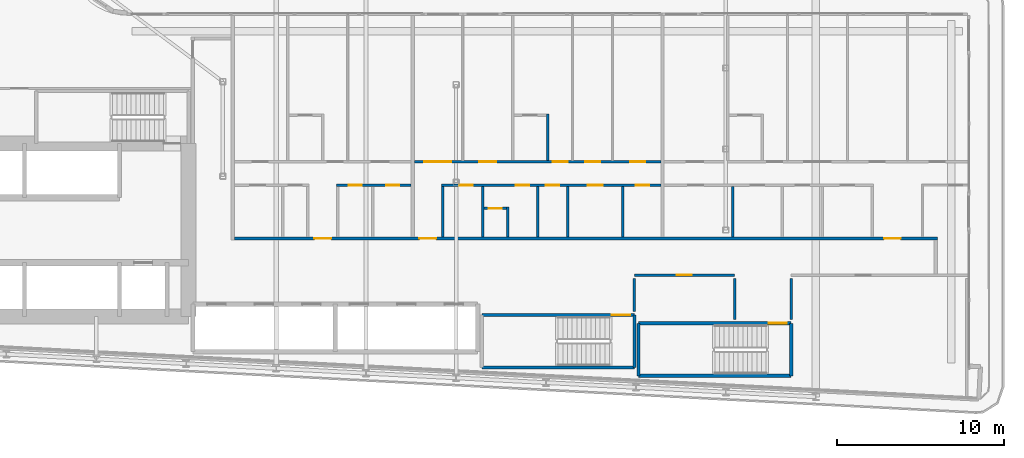
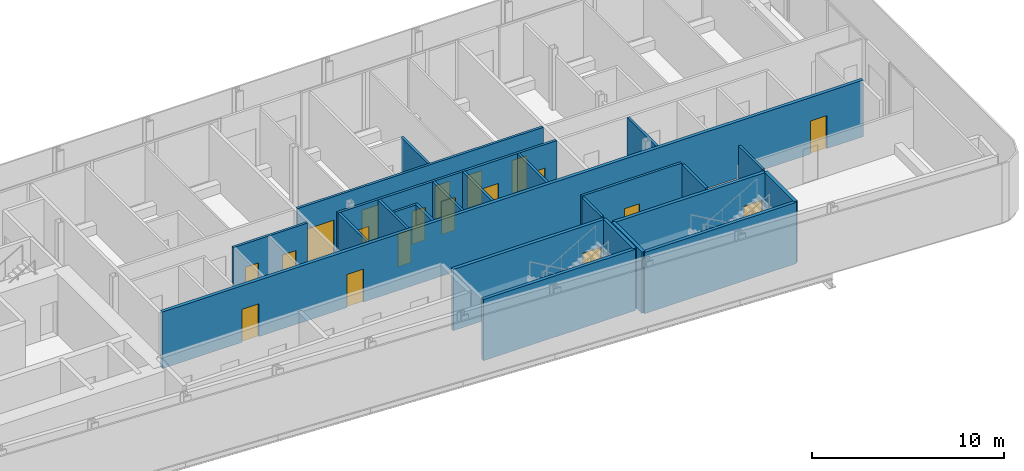
# One storey, part 16 of 29: 24 walls, 19 doors, 19 openings.
"""IFC4 building model written with IfcOpenShell, lengths in metres."""

from ifc_helpers import new_model, si_unit, direction, frame, frame_2d, origin, place, context, subcontext, project, spatial, rectangle, extrude, source, transform, mapped, material, layer, layer_set, type_object, element, fill, save


model = new_model("IFC4")

# Units and contexts
model_context = context("Model", 3, precision=1e-05, world=origin(), true_north=direction((0.0, 1.0)))
body_context = subcontext(model_context, "Body", "Model", "MODEL_VIEW")
ifc_project = project(units=[si_unit("LENGTHUNIT", "METRE"), si_unit("AREAUNIT", "SQUARE_METRE"), si_unit("VOLUMEUNIT", "CUBIC_METRE"), si_unit("PLANEANGLEUNIT", "RADIAN"), si_unit("MASSUNIT", "GRAM", prefix="KILO")], contexts=[model_context])

# Site, building, storey
site_placement = place(None, origin())
site = spatial("IfcSite", under=ifc_project, at=site_placement, CompositionType="ELEMENT")
building_placement = place(site_placement, origin())
building = spatial("IfcBuilding", under=site, at=building_placement, Name="Kheshtan School and Residences Tower", CompositionType="ELEMENT")
storey_placement = place(building_placement, frame((0.0, 0.0, 121.39990234375)))
storey = spatial("IfcBuildingStorey", under=building, at=storey_placement, Name="L28", CompositionType="ELEMENT", Elevation=121.39990234375)

# Wall, openings, doors
ifc_material_1 = material(Name="Gypsum board on steel studs with fire boards", Category="steel")
ifc_layer_1 = layer(ifc_material_1, 0.199951171875)
ifc_layer_set_1 = layer_set([ifc_layer_1], Name="Corridor wall 200")
wall_type_1 = type_object("IfcWallType", Name="Corridor wall 200", PredefinedType="PARTITIONING", material=ifc_layer_set_1)
wall_1_placement = place(storey_placement, frame((55.89990234375, 30.5, 0.0), z_axis=(0.0, 0.0, 1.0), x_axis=(1.0, 0.0, 0.0)))
wall_1 = element("IfcWall", 1, at=wall_1_placement, inside=storey, type_object=wall_type_1, Name="Partition L28-051", PredefinedType="PARTITIONING", context=body_context, shape_type="SweptSolid", body=[
    extrude(rectangle(XDim=42.2001953125, YDim=0.199951171875, at=frame_2d((21.10009765625, 0.0))), origin(), (0.0, 0.0, 1.0), 3.60009765625),
])
opening_1_placement = place(wall_1_placement, frame((4.800048828125, 0.0, 0.0)))
opening_1 = element("IfcOpeningElement", 2, at=opening_1_placement, cuts=wall_1, Name="Opening D27-005", PredefinedType="OPENING", context=body_context, shape_type="SweptSolid", body=[
    extrude(rectangle(XDim=1.0, YDim=2.10009765625, at=frame_2d((0.5, 1.050048828125))), frame((0.0, 0.10986328125, 0.0), z_axis=(0.0, -1.0, 0.0), x_axis=(1.0, 0.0, 0.0)), (0.0, 0.0, 1.0), 0.219970703125),
])
opening_2_placement = place(wall_1_placement, frame((11.10009765625, 0.0, 0.0)))
opening_2 = element("IfcOpeningElement", 3, at=opening_2_placement, cuts=wall_1, Name="Opening D27-015", PredefinedType="OPENING", context=body_context, shape_type="SweptSolid", body=[
    extrude(rectangle(XDim=1.0, YDim=2.10009765625, at=frame_2d((0.5, 1.050048828125))), frame((0.0, 0.10986328125, 0.0), z_axis=(0.0, -1.0, 0.0), x_axis=(1.0, 0.0, 0.0)), (0.0, 0.0, 1.0), 0.219970703125),
])
opening_3_placement = place(wall_1_placement, frame((39.0, 0.0, 0.0)))
opening_3 = element("IfcOpeningElement", 4, at=opening_3_placement, cuts=wall_1, Name="Opening D27-029", PredefinedType="OPENING", context=body_context, shape_type="SweptSolid", body=[
    extrude(rectangle(XDim=1.0, YDim=2.10009765625, at=frame_2d((0.5, 1.050048828125))), frame((0.0, 0.10986328125, 0.0), z_axis=(0.0, -1.0, 0.0), x_axis=(1.0, 0.0, 0.0)), (0.0, 0.0, 1.0), 0.219970703125),
])
ifc_material_2 = material(Name="Steel-framed fire-resisting door leaf", Category="steel")
door_type_1 = type_object("IfcDoorType", Name="Fire door FD30S 1000 x 2100", OperationType="SINGLE_SWING_LEFT", PredefinedType="DOOR", material=ifc_material_2)
shared_shape_1 = source(origin(), body_context, "Body", "SweptSolid", [
    extrude(rectangle(XDim=1.0, YDim=2.10009765625, at=frame_2d((0.5, 1.050048828125))), frame((0.0, 0.02490234375, 0.0), z_axis=(0.0, -1.0, 0.0), x_axis=(1.0, 0.0, 0.0)), (0.0, 0.0, 1.0), 0.050048828125),
])
door_1_placement = place(opening_1_placement, origin())
door_1 = element("IfcDoor", 5, at=door_1_placement, inside=storey, type_object=door_type_1, Name="Door D27-005", OperationType="SINGLE_SWING_RIGHT", OverallHeight=2.10009765625, OverallWidth=1.0, PredefinedType="DOOR", context=body_context, shape_type="MappedRepresentation", body=[
    mapped(shared_shape_1, transform((0.0, 0.0, 0.0), x_axis=(1.0, 0.0, 0.0), y_axis=(0.0, 1.0, 0.0), z_axis=(0.0, 0.0, 1.0), scale=1.0)),
])
fill(opening_1, door_1)
door_2_placement = place(opening_2_placement, origin())
door_2 = element("IfcDoor", 6, at=door_2_placement, inside=storey, type_object=door_type_1, Name="Door D27-015", OperationType="SINGLE_SWING_LEFT", OverallHeight=2.10009765625, OverallWidth=1.0, PredefinedType="DOOR", context=body_context, shape_type="MappedRepresentation", body=[
    mapped(shared_shape_1, transform((0.0, 0.0, 0.0), x_axis=(1.0, 0.0, 0.0), y_axis=(0.0, 1.0, 0.0), z_axis=(0.0, 0.0, 1.0), scale=1.0)),
])
fill(opening_2, door_2)
door_3_placement = place(opening_3_placement, origin())
door_3 = element("IfcDoor", 7, at=door_3_placement, inside=storey, type_object=door_type_1, Name="Door D27-029", OperationType="SINGLE_SWING_LEFT", OverallHeight=2.10009765625, OverallWidth=1.0, PredefinedType="DOOR", context=body_context, shape_type="MappedRepresentation", body=[
    mapped(shared_shape_1, transform((0.0, 0.0, 0.0), x_axis=(1.0, 0.0, 0.0), y_axis=(0.0, 1.0, 0.0), z_axis=(0.0, 0.0, 1.0), scale=1.0)),
])
fill(opening_3, door_3)

# Wall, opening, door
ifc_material_3 = material(Name="Fire-board shaft wall system")
ifc_layer_2 = layer(ifc_material_3, 0.14990234375)
ifc_layer_set_2 = layer_set([ifc_layer_2], Name="Service room wall 150")
wall_type_2 = type_object("IfcWallType", Name="Service room wall 150", PredefinedType="PARTITIONING", material=ifc_layer_set_2)
wall_2_placement = place(storey_placement, frame((79.909912109375, 28.300048828125, 0.0), z_axis=(0.0, 0.0, 1.0), x_axis=(1.0, 0.0, 0.0)))
wall_2 = element("IfcWall", 8, at=wall_2_placement, inside=storey, type_object=wall_type_2, Name="Service room wall", PredefinedType="PARTITIONING", context=body_context, shape_type="SweptSolid", body=[
    extrude(rectangle(XDim=6.010009765625, YDim=0.14990234375, at=frame_2d((3.0048828125, 0.0))), origin(), (0.0, 0.0, 1.0), 3.900146484375),
])
opening_4_placement = place(wall_2_placement, frame((2.554931640625, 0.0, 0.0)))
opening_4 = element("IfcOpeningElement", 9, at=opening_4_placement, cuts=wall_2, Name="Opening SR90", PredefinedType="OPENING", context=body_context, shape_type="SweptSolid", body=[
    extrude(rectangle(XDim=0.89990234375, YDim=2.199951171875, at=frame_2d((0.449951171875, 1.10009765625))), frame((0.0, 0.0849609375, 0.0), z_axis=(0.0, -1.0, 0.0), x_axis=(1.0, 0.0, 0.0)), (0.0, 0.0, 1.0), 0.169921875),
])
ifc_material_4 = material(Name="Steel door leaf, galvanised", Category="steel")
door_type_2 = type_object("IfcDoorType", Name="Service room door 900 steel 90 min", OperationType="SINGLE_SWING_LEFT", PredefinedType="DOOR", material=ifc_material_4)
shared_shape_2 = source(origin(), body_context, "Body", "SweptSolid", [
    extrude(rectangle(XDim=0.89990234375, YDim=2.199951171875, at=frame_2d((0.449951171875, 1.10009765625))), frame((0.0, 0.02490234375, 0.0), z_axis=(0.0, -1.0, 0.0), x_axis=(1.0, 0.0, 0.0)), (0.0, 0.0, 1.0), 0.050048828125),
])
door_4_placement = place(opening_4_placement, origin())
door_4 = element("IfcDoor", 10, at=door_4_placement, inside=storey, type_object=door_type_2, Name="Service room door", OperationType="SINGLE_SWING_LEFT", OverallHeight=2.199951171875, OverallWidth=0.89990234375, PredefinedType="DOOR", context=body_context, shape_type="MappedRepresentation", body=[
    mapped(shared_shape_2, transform((0.0, 0.0, 0.0), x_axis=(1.0, 0.0, 0.0), y_axis=(0.0, 1.0, 0.0), z_axis=(0.0, 0.0, 1.0), scale=1.0)),
])
fill(opening_4, door_4)

# Walls
wall_3_placement = place(storey_placement, frame((79.909912109375, 26.1201171875, 0.0), z_axis=(0.0, 0.0, 1.0), x_axis=(0.0, 1.0, 0.0)))
element("IfcWall", 11, at=wall_3_placement, inside=storey, type_object=wall_type_2, Name="Service room wall", PredefinedType="PARTITIONING", context=body_context, shape_type="SweptSolid", body=[
    extrude(rectangle(XDim=1.98486328125, YDim=0.14990234375, at=frame_2d((0.992431640625, 0.0))), origin(), (0.0, 0.0, 1.0), 3.900146484375),
])
for number, where, z_axis, x_axis, name in (
    (12, (85.919921875, 25.6201171875, 0.0), (0.0, 0.0, 1.0), (0.0, 1.0, 0.0), "Service room wall"),
    (13, (89.320068359375, 25.6201171875, 0.0), (0.0, 0.0, 1.0), (0.0, 1.0, 0.0), "Service room wall"),
):
    element("IfcWall", number, at=place(storey_placement, frame(where, z_axis=z_axis, x_axis=x_axis)), inside=storey, type_object=wall_type_2, Name=name, PredefinedType="PARTITIONING", context=body_context, shape_type="SweptSolid", body=[
        extrude(rectangle(XDim=2.48486328125, YDim=0.14990234375, at=frame_2d((1.242431640625, 0.0))), origin(), (0.0, 0.0, 1.0), 3.900146484375),
    ])
ifc_material_5 = material(Name="Concrete C40/50", Category="concrete")
ifc_layer_3 = layer(ifc_material_5, 0.199951171875)
ifc_layer_set_3 = layer_set([ifc_layer_3], Name="Stair enclosure wall 200 Concrete C40/50")
wall_type_3 = type_object("IfcWallType", Name="Stair enclosure wall 200 Concrete C40/50", PredefinedType="SHEAR", material=ifc_layer_set_3)
wall_4_placement = place(storey_placement, frame((80.159912109375, 22.25, 0.0), z_axis=(0.0, 0.0, 1.0), x_axis=(1.0, 0.0, 0.0)))
element("IfcWall", 14, at=wall_4_placement, inside=storey, type_object=wall_type_3, Name="Stair enclosure wall ST4", PredefinedType="SHEAR", context=body_context, shape_type="SweptSolid", body=[
    extrude(rectangle(XDim=9.16015625, YDim=0.199951171875, at=frame_2d((4.580078125, 0.0))), origin(), (0.0, 0.0, 1.0), 3.900146484375),
])

# Wall, opening, door
wall_5_placement = place(storey_placement, frame((80.159912109375, 25.39990234375, 0.0), z_axis=(0.0, 0.0, 1.0), x_axis=(1.0, 0.0, 0.0)))
wall_5 = element("IfcWall", 15, at=wall_5_placement, inside=storey, type_object=wall_type_3, Name="Stair enclosure wall ST4", PredefinedType="SHEAR", context=body_context, shape_type="SweptSolid", body=[
    extrude(rectangle(XDim=9.16015625, YDim=0.199951171875, at=frame_2d((4.580078125, 0.0))), origin(), (0.0, 0.0, 1.0), 3.900146484375),
])
opening_5_placement = place(wall_5_placement, frame((7.81005859375, 0.0, 0.0)))
opening_5 = element("IfcOpeningElement", 16, at=opening_5_placement, cuts=wall_5, Name="Opening ST4D", PredefinedType="OPENING", context=body_context, shape_type="SweptSolid", body=[
    extrude(rectangle(XDim=1.10009765625, YDim=2.199951171875, at=frame_2d((0.550048828125, 1.10009765625))), frame((0.0, 0.10986328125, 0.0), z_axis=(0.0, -1.0, 0.0), x_axis=(1.0, 0.0, 0.0)), (0.0, 0.0, 1.0), 0.219970703125),
])
door_type_3 = type_object("IfcDoorType", Name="Stair door 1100 steel 90 min", OperationType="SINGLE_SWING_LEFT", PredefinedType="DOOR", material=ifc_material_4)
shared_shape_3 = source(origin(), body_context, "Body", "SweptSolid", [
    extrude(rectangle(XDim=1.10009765625, YDim=2.199951171875, at=frame_2d((0.550048828125, 1.10009765625))), frame((0.0, 0.02490234375, 0.0), z_axis=(0.0, -1.0, 0.0), x_axis=(1.0, 0.0, 0.0)), (0.0, 0.0, 1.0), 0.050048828125),
])
door_5_placement = place(opening_5_placement, origin())
door_5 = element("IfcDoor", 17, at=door_5_placement, inside=storey, type_object=door_type_3, Name="Stair ST4 door", OperationType="SINGLE_SWING_LEFT", OverallHeight=2.199951171875, OverallWidth=1.10009765625, PredefinedType="DOOR", context=body_context, shape_type="MappedRepresentation", body=[
    mapped(shared_shape_3, transform((0.0, 0.0, 0.0), x_axis=(1.0, 0.0, 0.0), y_axis=(0.0, 1.0, 0.0), z_axis=(0.0, 0.0, 1.0), scale=1.0)),
])
fill(opening_5, door_5)

# Walls
for number, where, z_axis, x_axis, name in (
    (18, (80.159912109375, 22.25, 0.0), (0.0, 0.0, 1.0), (0.0, 1.0, 0.0), "Stair enclosure wall ST4"),
    (19, (89.320068359375, 22.25, 0.0), (0.0, 0.0, 1.0), (0.0, 1.0, 0.0), "Stair enclosure wall ST4"),
):
    element("IfcWall", number, at=place(storey_placement, frame(where, z_axis=z_axis, x_axis=x_axis)), inside=storey, type_object=wall_type_3, Name=name, PredefinedType="SHEAR", context=body_context, shape_type="SweptSolid", body=[
        extrude(rectangle(XDim=3.14990234375, YDim=0.199951171875, at=frame_2d((1.574951171875, 0.0))), origin(), (0.0, 0.0, 1.0), 3.900146484375),
    ])
wall_6_placement = place(storey_placement, frame((70.75, 22.75, 0.0), z_axis=(0.0, 0.0, 1.0), x_axis=(1.0, 0.0, 0.0)))
element("IfcWall", 20, at=wall_6_placement, inside=storey, type_object=wall_type_3, Name="Stair enclosure wall ST5", PredefinedType="SHEAR", context=body_context, shape_type="SweptSolid", body=[
    extrude(rectangle(XDim=9.159912109375, YDim=0.199951171875, at=frame_2d((4.580078125, 0.0))), origin(), (0.0, 0.0, 1.0), 3.900146484375),
])

# Wall, opening, door
wall_7_placement = place(storey_placement, frame((70.75, 25.89990234375, 0.0), z_axis=(0.0, 0.0, 1.0), x_axis=(1.0, 0.0, 0.0)))
wall_7 = element("IfcWall", 21, at=wall_7_placement, inside=storey, type_object=wall_type_3, Name="Stair enclosure wall ST5", PredefinedType="SHEAR", context=body_context, shape_type="SweptSolid", body=[
    extrude(rectangle(XDim=9.159912109375, YDim=0.199951171875, at=frame_2d((4.580078125, 0.0))), origin(), (0.0, 0.0, 1.0), 3.900146484375),
])
opening_6_placement = place(wall_7_placement, frame((7.81005859375, 0.0, 0.0)))
opening_6 = element("IfcOpeningElement", 22, at=opening_6_placement, cuts=wall_7, Name="Opening ST5D", PredefinedType="OPENING", context=body_context, shape_type="SweptSolid", body=[
    extrude(rectangle(XDim=1.10009765625, YDim=2.199951171875, at=frame_2d((0.550048828125, 1.10009765625))), frame((0.0, 0.10986328125, 0.0), z_axis=(0.0, -1.0, 0.0), x_axis=(1.0, 0.0, 0.0)), (0.0, 0.0, 1.0), 0.219970703125),
])
door_6_placement = place(opening_6_placement, origin())
door_6 = element("IfcDoor", 23, at=door_6_placement, inside=storey, type_object=door_type_3, Name="Stair ST5 door", OperationType="SINGLE_SWING_LEFT", OverallHeight=2.199951171875, OverallWidth=1.10009765625, PredefinedType="DOOR", context=body_context, shape_type="MappedRepresentation", body=[
    mapped(shared_shape_3, transform((0.0, 0.0, 0.0), x_axis=(1.0, 0.0, 0.0), y_axis=(0.0, 1.0, 0.0), z_axis=(0.0, 0.0, 1.0), scale=1.0)),
])
fill(opening_6, door_6)

# Wall
wall_8_placement = place(storey_placement, frame((79.909912109375, 22.75, 0.0), z_axis=(0.0, 0.0, 1.0), x_axis=(0.0, 1.0, 0.0)))
element("IfcWall", 24, at=wall_8_placement, inside=storey, type_object=wall_type_3, Name="Stair enclosure wall ST5", PredefinedType="SHEAR", context=body_context, shape_type="SweptSolid", body=[
    extrude(rectangle(XDim=3.14990234375, YDim=0.199951171875, at=frame_2d((1.574951171875, 0.0))), origin(), (0.0, 0.0, 1.0), 3.900146484375),
])

# Wall, openings, doors
ifc_material_6 = material(Name="Moisture-resistant gypsum board on steel studs", Category="steel")
ifc_layer_4 = layer(ifc_material_6, 0.14990234375)
ifc_layer_set_4 = layer_set([ifc_layer_4], Name="Wet-room partition 150")
wall_type_4 = type_object("IfcWallType", Name="Wet-room partition 150", PredefinedType="PARTITIONING", material=ifc_layer_set_4)
wall_9_placement = place(storey_placement, frame((62.02490234375, 33.699951171875, 0.0), z_axis=(0.0, 0.0, 1.0), x_axis=(1.0, 0.0, 0.0)))
wall_9 = element("IfcWall", 25, at=wall_9_placement, inside=storey, type_object=wall_type_4, Name="Partition L28-059", PredefinedType="PARTITIONING", context=body_context, shape_type="SweptSolid", body=[
    extrude(rectangle(XDim=4.47509765625, YDim=0.14990234375, at=frame_2d((2.237548828125, 0.0))), origin(), (0.0, 0.0, 1.0), 3.60009765625),
])
opening_7_placement = place(wall_9_placement, frame((0.72509765625, 0.0, 0.0)))
opening_7 = element("IfcOpeningElement", 26, at=opening_7_placement, cuts=wall_9, Name="Opening D27-001", PredefinedType="OPENING", context=body_context, shape_type="SweptSolid", body=[
    extrude(rectangle(XDim=0.800048828125, YDim=2.10009765625, at=frame_2d((0.39990234375, 1.050048828125))), frame((0.0, 0.0849609375, 0.0), z_axis=(0.0, -1.0, 0.0), x_axis=(1.0, 0.0, 0.0)), (0.0, 0.0, 1.0), 0.169921875),
])
opening_8_placement = place(wall_9_placement, frame((2.97509765625, 0.0, 0.0)))
opening_8 = element("IfcOpeningElement", 27, at=opening_8_placement, cuts=wall_9, Name="Opening D27-003", PredefinedType="OPENING", context=body_context, shape_type="SweptSolid", body=[
    extrude(rectangle(XDim=0.800048828125, YDim=2.10009765625, at=frame_2d((0.39990234375, 1.050048828125))), frame((0.0, 0.0849609375, 0.0), z_axis=(0.0, -1.0, 0.0), x_axis=(1.0, 0.0, 0.0)), (0.0, 0.0, 1.0), 0.169921875),
])
ifc_material_7 = material(Name="Veneered timber door leaf", Category="wood")
door_type_4 = type_object("IfcDoorType", Name="Door 800 x 2100", OperationType="SINGLE_SWING_LEFT", PredefinedType="DOOR", material=ifc_material_7)
shared_shape_4 = source(origin(), body_context, "Body", "SweptSolid", [
    extrude(rectangle(XDim=0.800048828125, YDim=2.10009765625, at=frame_2d((0.39990234375, 1.050048828125))), frame((0.0, 0.02490234375, 0.0), z_axis=(0.0, -1.0, 0.0), x_axis=(1.0, 0.0, 0.0)), (0.0, 0.0, 1.0), 0.050048828125),
])
door_7_placement = place(opening_7_placement, origin())
door_7 = element("IfcDoor", 28, at=door_7_placement, inside=storey, type_object=door_type_4, Name="Door D27-001", OperationType="SINGLE_SWING_RIGHT", OverallHeight=2.10009765625, OverallWidth=0.800048828125, PredefinedType="DOOR", context=body_context, shape_type="MappedRepresentation", body=[
    mapped(shared_shape_4, transform((0.0, 0.0, 0.0), x_axis=(1.0, 0.0, 0.0), y_axis=(0.0, 1.0, 0.0), z_axis=(0.0, 0.0, 1.0), scale=1.0)),
])
fill(opening_7, door_7)
door_8_placement = place(opening_8_placement, origin())
door_8 = element("IfcDoor", 29, at=door_8_placement, inside=storey, type_object=door_type_4, Name="Door D27-003", OperationType="SINGLE_SWING_LEFT", OverallHeight=2.10009765625, OverallWidth=0.800048828125, PredefinedType="DOOR", context=body_context, shape_type="MappedRepresentation", body=[
    mapped(shared_shape_4, transform((0.0, 0.0, 0.0), x_axis=(1.0, 0.0, 0.0), y_axis=(0.0, 1.0, 0.0), z_axis=(0.0, 0.0, 1.0), scale=1.0)),
])
fill(opening_8, door_8)

wall_10_placement = place(storey_placement, frame((66.699951171875, 35.10009765625, 0.0), z_axis=(0.0, 0.0, 1.0), x_axis=(1.0, 0.0, 0.0)))
wall_10 = element("IfcWall", 30, at=wall_10_placement, inside=storey, type_object=wall_type_4, Name="Partition L28-064", PredefinedType="PARTITIONING", context=body_context, shape_type="SweptSolid", body=[
    extrude(rectangle(XDim=14.800048828125, YDim=0.14990234375, at=frame_2d((7.39990234375, 0.0))), origin(), (0.0, 0.0, 1.0), 3.60009765625),
])
opening_9_placement = place(wall_10_placement, frame((10.25, 0.0, 0.0)))
opening_9 = element("IfcOpeningElement", 31, at=opening_9_placement, cuts=wall_10, Name="Opening D27-012", PredefinedType="OPENING", context=body_context, shape_type="SweptSolid", body=[
    extrude(rectangle(XDim=0.89990234375, YDim=2.10009765625, at=frame_2d((0.449951171875, 1.050048828125))), frame((0.0, 0.0849609375, 0.0), z_axis=(0.0, -1.0, 0.0), x_axis=(1.0, 0.0, 0.0)), (0.0, 0.0, 1.0), 0.169921875),
])
opening_10_placement = place(wall_10_placement, frame((12.949951171875, 0.0, 0.0)))
opening_10 = element("IfcOpeningElement", 32, at=opening_10_placement, cuts=wall_10, Name="Opening D27-013", PredefinedType="OPENING", context=body_context, shape_type="SweptSolid", body=[
    extrude(rectangle(XDim=0.89990234375, YDim=2.10009765625, at=frame_2d((0.449951171875, 1.050048828125))), frame((0.0, 0.0849609375, 0.0), z_axis=(0.0, -1.0, 0.0), x_axis=(1.0, 0.0, 0.0)), (0.0, 0.0, 1.0), 0.169921875),
])
opening_11_placement = place(wall_10_placement, frame((3.89990234375, 0.0, 0.0)))
opening_11 = element("IfcOpeningElement", 33, at=opening_11_placement, cuts=wall_10, Name="Opening D27-017", PredefinedType="OPENING", context=body_context, shape_type="SweptSolid", body=[
    extrude(rectangle(XDim=1.0, YDim=2.10009765625, at=frame_2d((0.5, 1.050048828125))), frame((0.0, 0.0849609375, 0.0), z_axis=(0.0, -1.0, 0.0), x_axis=(1.0, 0.0, 0.0)), (0.0, 0.0, 1.0), 0.169921875),
])
opening_12_placement = place(wall_10_placement, frame((0.60009765625, 0.0, 0.0)))
opening_12 = element("IfcOpeningElement", 34, at=opening_12_placement, cuts=wall_10, Name="Opening D27-020", PredefinedType="OPENING", context=body_context, shape_type="SweptSolid", body=[
    extrude(rectangle(XDim=1.60009765625, YDim=2.10009765625, at=frame_2d((0.800048828125, 1.050048828125))), frame((0.0, 0.0849609375, 0.0), z_axis=(0.0, -1.0, 0.0), x_axis=(1.0, 0.0, 0.0)), (0.0, 0.0, 1.0), 0.169921875),
])
opening_13_placement = place(wall_10_placement, frame((8.300048828125, 0.0, 0.0)))
opening_13 = element("IfcOpeningElement", 35, at=opening_13_placement, cuts=wall_10, Name="Opening D27-021", PredefinedType="OPENING", context=body_context, shape_type="SweptSolid", body=[
    extrude(rectangle(XDim=0.89990234375, YDim=2.10009765625, at=frame_2d((0.449951171875, 1.050048828125))), frame((0.0, 0.0849609375, 0.0), z_axis=(0.0, -1.0, 0.0), x_axis=(1.0, 0.0, 0.0)), (0.0, 0.0, 1.0), 0.169921875),
])
door_type_5 = type_object("IfcDoorType", Name="Door 1000 x 2100", OperationType="SINGLE_SWING_LEFT", PredefinedType="DOOR", material=ifc_material_7)
shared_shape_5 = source(origin(), body_context, "Body", "SweptSolid", [
    extrude(rectangle(XDim=1.0, YDim=2.10009765625, at=frame_2d((0.5, 1.050048828125))), frame((0.0, 0.02490234375, 0.0), z_axis=(0.0, -1.0, 0.0), x_axis=(1.0, 0.0, 0.0)), (0.0, 0.0, 1.0), 0.050048828125),
])
door_9_placement = place(opening_11_placement, origin())
door_9 = element("IfcDoor", 36, at=door_9_placement, inside=storey, type_object=door_type_5, Name="Door D27-017", OperationType="SINGLE_SWING_LEFT", OverallHeight=2.10009765625, OverallWidth=1.0, PredefinedType="DOOR", context=body_context, shape_type="MappedRepresentation", body=[
    mapped(shared_shape_5, transform((0.0, 0.0, 0.0), x_axis=(1.0, 0.0, 0.0), y_axis=(0.0, 1.0, 0.0), z_axis=(0.0, 0.0, 1.0), scale=1.0)),
])
fill(opening_11, door_9)
door_type_6 = type_object("IfcDoorType", Name="Door 900 x 2100", OperationType="SINGLE_SWING_LEFT", PredefinedType="DOOR", material=ifc_material_7)
shared_shape_6 = source(origin(), body_context, "Body", "SweptSolid", [
    extrude(rectangle(XDim=0.89990234375, YDim=2.10009765625, at=frame_2d((0.449951171875, 1.050048828125))), frame((0.0, 0.02490234375, 0.0), z_axis=(0.0, -1.0, 0.0), x_axis=(1.0, 0.0, 0.0)), (0.0, 0.0, 1.0), 0.050048828125),
])
door_10_placement = place(opening_9_placement, origin())
door_10 = element("IfcDoor", 37, at=door_10_placement, inside=storey, type_object=door_type_6, Name="Door D27-012", OperationType="SINGLE_SWING_RIGHT", OverallHeight=2.10009765625, OverallWidth=0.89990234375, PredefinedType="DOOR", context=body_context, shape_type="MappedRepresentation", body=[
    mapped(shared_shape_6, transform((0.0, 0.0, 0.0), x_axis=(1.0, 0.0, 0.0), y_axis=(0.0, 1.0, 0.0), z_axis=(0.0, 0.0, 1.0), scale=1.0)),
])
fill(opening_9, door_10)
door_11_placement = place(opening_10_placement, origin())
door_11 = element("IfcDoor", 38, at=door_11_placement, inside=storey, type_object=door_type_6, Name="Door D27-013", OperationType="SINGLE_SWING_RIGHT", OverallHeight=2.10009765625, OverallWidth=0.89990234375, PredefinedType="DOOR", context=body_context, shape_type="MappedRepresentation", body=[
    mapped(shared_shape_6, transform((0.0, 0.0, 0.0), x_axis=(1.0, 0.0, 0.0), y_axis=(0.0, 1.0, 0.0), z_axis=(0.0, 0.0, 1.0), scale=1.0)),
])
fill(opening_10, door_11)
door_12_placement = place(opening_13_placement, origin())
door_12 = element("IfcDoor", 39, at=door_12_placement, inside=storey, type_object=door_type_6, Name="Door D27-021", OperationType="SINGLE_SWING_LEFT", OverallHeight=2.10009765625, OverallWidth=0.89990234375, PredefinedType="DOOR", context=body_context, shape_type="MappedRepresentation", body=[
    mapped(shared_shape_6, transform((0.0, 0.0, 0.0), x_axis=(1.0, 0.0, 0.0), y_axis=(0.0, 1.0, 0.0), z_axis=(0.0, 0.0, 1.0), scale=1.0)),
])
fill(opening_13, door_12)
door_type_7 = type_object("IfcDoorType", Name="Double door 1600 x 2100", OperationType="DOUBLE_DOOR_SINGLE_SWING", PredefinedType="DOOR", material=ifc_material_7)
shared_shape_7 = source(origin(), body_context, "Body", "SweptSolid", [
    extrude(rectangle(XDim=1.60009765625, YDim=2.10009765625, at=frame_2d((0.800048828125, 1.050048828125))), frame((0.0, 0.02490234375, 0.0), z_axis=(0.0, -1.0, 0.0), x_axis=(1.0, 0.0, 0.0)), (0.0, 0.0, 1.0), 0.050048828125),
])
door_13_placement = place(opening_12_placement, origin())
door_13 = element("IfcDoor", 40, at=door_13_placement, inside=storey, type_object=door_type_7, Name="Door D27-020", OperationType="DOUBLE_DOOR_SINGLE_SWING", OverallHeight=2.10009765625, OverallWidth=1.60009765625, PredefinedType="DOOR", context=body_context, shape_type="MappedRepresentation", body=[
    mapped(shared_shape_7, transform((0.0, 0.0, 0.0), x_axis=(1.0, 0.0, 0.0), y_axis=(0.0, 1.0, 0.0), z_axis=(0.0, 0.0, 1.0), scale=1.0)),
])
fill(opening_12, door_13)

wall_11_placement = place(storey_placement, frame((68.324951171875, 33.699951171875, 0.0), z_axis=(0.0, 0.0, 1.0), x_axis=(1.0, 0.0, 0.0)))
wall_11 = element("IfcWall", 41, at=wall_11_placement, inside=storey, type_object=wall_type_4, Name="Partition L28-065", PredefinedType="PARTITIONING", context=body_context, shape_type="SweptSolid", body=[
    extrude(rectangle(XDim=13.175048828125, YDim=0.14990234375, at=frame_2d((6.58740234375, 0.0))), origin(), (0.0, 0.0, 1.0), 3.60009765625),
])
opening_14_placement = place(wall_11_placement, frame((1.074951171875, 0.0, 0.0)))
opening_14 = element("IfcOpeningElement", 42, at=opening_14_placement, cuts=wall_11, Name="Opening D27-010", PredefinedType="OPENING", context=body_context, shape_type="SweptSolid", body=[
    extrude(rectangle(XDim=0.800048828125, YDim=2.10009765625, at=frame_2d((0.39990234375, 1.050048828125))), frame((0.0, 0.0849609375, 0.0), z_axis=(0.0, -1.0, 0.0), x_axis=(1.0, 0.0, 0.0)), (0.0, 0.0, 1.0), 0.169921875),
])
opening_15_placement = place(wall_11_placement, frame((11.675048828125, 0.0, 0.0)))
opening_15 = element("IfcOpeningElement", 43, at=opening_15_placement, cuts=wall_11, Name="Opening D27-011", PredefinedType="OPENING", context=body_context, shape_type="SweptSolid", body=[
    extrude(rectangle(XDim=0.800048828125, YDim=2.10009765625, at=frame_2d((0.39990234375, 1.050048828125))), frame((0.0, 0.0849609375, 0.0), z_axis=(0.0, -1.0, 0.0), x_axis=(1.0, 0.0, 0.0)), (0.0, 0.0, 1.0), 0.169921875),
])
opening_16_placement = place(wall_11_placement, frame((8.77490234375, 0.0, 0.0)))
opening_16 = element("IfcOpeningElement", 44, at=opening_16_placement, cuts=wall_11, Name="Opening D27-016", PredefinedType="OPENING", context=body_context, shape_type="SweptSolid", body=[
    extrude(rectangle(XDim=0.89990234375, YDim=2.10009765625, at=frame_2d((0.449951171875, 1.050048828125))), frame((0.0, 0.0849609375, 0.0), z_axis=(0.0, -1.0, 0.0), x_axis=(1.0, 0.0, 0.0)), (0.0, 0.0, 1.0), 0.169921875),
])
opening_17_placement = place(wall_11_placement, frame((4.47509765625, 0.0, 0.0)))
opening_17 = element("IfcOpeningElement", 45, at=opening_17_placement, cuts=wall_11, Name="Opening D27-018", PredefinedType="OPENING", context=body_context, shape_type="SweptSolid", body=[
    extrude(rectangle(XDim=0.800048828125, YDim=2.10009765625, at=frame_2d((0.39990234375, 1.050048828125))), frame((0.0, 0.0849609375, 0.0), z_axis=(0.0, -1.0, 0.0), x_axis=(1.0, 0.0, 0.0)), (0.0, 0.0, 1.0), 0.169921875),
])
opening_18_placement = place(wall_11_placement, frame((6.27490234375, 0.0, 0.0)))
opening_18 = element("IfcOpeningElement", 46, at=opening_18_placement, cuts=wall_11, Name="Opening D27-022", PredefinedType="OPENING", context=body_context, shape_type="SweptSolid", body=[
    extrude(rectangle(XDim=0.800048828125, YDim=2.10009765625, at=frame_2d((0.39990234375, 1.050048828125))), frame((0.0, 0.0849609375, 0.0), z_axis=(0.0, -1.0, 0.0), x_axis=(1.0, 0.0, 0.0)), (0.0, 0.0, 1.0), 0.169921875),
])
door_14_placement = place(opening_14_placement, origin())
door_14 = element("IfcDoor", 47, at=door_14_placement, inside=storey, type_object=door_type_4, Name="Door D27-010", OperationType="SINGLE_SWING_LEFT", OverallHeight=2.10009765625, OverallWidth=0.800048828125, PredefinedType="DOOR", context=body_context, shape_type="MappedRepresentation", body=[
    mapped(shared_shape_4, transform((0.0, 0.0, 0.0), x_axis=(1.0, 0.0, 0.0), y_axis=(0.0, 1.0, 0.0), z_axis=(0.0, 0.0, 1.0), scale=1.0)),
])
fill(opening_14, door_14)
door_15_placement = place(opening_15_placement, origin())
door_15 = element("IfcDoor", 48, at=door_15_placement, inside=storey, type_object=door_type_4, Name="Door D27-011", OperationType="SINGLE_SWING_RIGHT", OverallHeight=2.10009765625, OverallWidth=0.800048828125, PredefinedType="DOOR", context=body_context, shape_type="MappedRepresentation", body=[
    mapped(shared_shape_4, transform((0.0, 0.0, 0.0), x_axis=(1.0, 0.0, 0.0), y_axis=(0.0, 1.0, 0.0), z_axis=(0.0, 0.0, 1.0), scale=1.0)),
])
fill(opening_15, door_15)
door_16_placement = place(opening_17_placement, origin())
door_16 = element("IfcDoor", 49, at=door_16_placement, inside=storey, type_object=door_type_4, Name="Door D27-018", OperationType="SINGLE_SWING_LEFT", OverallHeight=2.10009765625, OverallWidth=0.800048828125, PredefinedType="DOOR", context=body_context, shape_type="MappedRepresentation", body=[
    mapped(shared_shape_4, transform((0.0, 0.0, 0.0), x_axis=(1.0, 0.0, 0.0), y_axis=(0.0, 1.0, 0.0), z_axis=(0.0, 0.0, 1.0), scale=1.0)),
])
fill(opening_17, door_16)
door_17_placement = place(opening_18_placement, origin())
door_17 = element("IfcDoor", 50, at=door_17_placement, inside=storey, type_object=door_type_4, Name="Door D27-022", OperationType="SINGLE_SWING_RIGHT", OverallHeight=2.10009765625, OverallWidth=0.800048828125, PredefinedType="DOOR", context=body_context, shape_type="MappedRepresentation", body=[
    mapped(shared_shape_4, transform((0.0, 0.0, 0.0), x_axis=(1.0, 0.0, 0.0), y_axis=(0.0, 1.0, 0.0), z_axis=(0.0, 0.0, 1.0), scale=1.0)),
])
fill(opening_18, door_17)
door_18_placement = place(opening_16_placement, origin())
door_18 = element("IfcDoor", 51, at=door_18_placement, inside=storey, type_object=door_type_6, Name="Door D27-016", OperationType="SINGLE_SWING_LEFT", OverallHeight=2.10009765625, OverallWidth=0.89990234375, PredefinedType="DOOR", context=body_context, shape_type="MappedRepresentation", body=[
    mapped(shared_shape_6, transform((0.0, 0.0, 0.0), x_axis=(1.0, 0.0, 0.0), y_axis=(0.0, 1.0, 0.0), z_axis=(0.0, 0.0, 1.0), scale=1.0)),
])
fill(opening_16, door_18)

# Walls
for number, where, z_axis, x_axis, name in (
    (52, (68.39990234375, 30.60009765625, 0.0), (0.0, 0.0, 1.0), (0.0, 1.0, 0.0), "Partition L28-066"),
    (53, (70.800048828125, 30.60009765625, 0.0), (0.0, 0.0, 1.0), (0.0, 1.0, 0.0), "Partition L28-068"),
):
    element("IfcWall", number, at=place(storey_placement, frame(where, z_axis=z_axis, x_axis=x_axis)), inside=storey, type_object=wall_type_4, Name=name, PredefinedType="PARTITIONING", context=body_context, shape_type="SweptSolid", body=[
        extrude(rectangle(XDim=3.02490234375, YDim=0.14990234375, at=frame_2d((1.512451171875, 0.0))), origin(), (0.0, 0.0, 1.0), 3.60009765625),
    ])

# Wall, opening, door
wall_12_placement = place(storey_placement, frame((70.875, 32.300048828125, 0.0), z_axis=(0.0, 0.0, 1.0), x_axis=(1.0, 0.0, 0.0)))
wall_12 = element("IfcWall", 54, at=wall_12_placement, inside=storey, type_object=wall_type_4, Name="Partition L28-069", PredefinedType="PARTITIONING", context=body_context, shape_type="SweptSolid", body=[
    extrude(rectangle(XDim=1.35009765625, YDim=0.14990234375, at=frame_2d((0.675048828125, 0.0))), origin(), (0.0, 0.0, 1.0), 3.60009765625),
])
opening_19_placement = place(wall_12_placement, frame((0.27490234375, 0.0, 0.0)))
opening_19 = element("IfcOpeningElement", 55, at=opening_19_placement, cuts=wall_12, Name="Opening D27-019", PredefinedType="OPENING", context=body_context, shape_type="SweptSolid", body=[
    extrude(rectangle(XDim=0.800048828125, YDim=2.10009765625, at=frame_2d((0.39990234375, 1.050048828125))), frame((0.0, 0.0849609375, 0.0), z_axis=(0.0, -1.0, 0.0), x_axis=(1.0, 0.0, 0.0)), (0.0, 0.0, 1.0), 0.169921875),
])
door_19_placement = place(opening_19_placement, origin())
door_19 = element("IfcDoor", 56, at=door_19_placement, inside=storey, type_object=door_type_4, Name="Door D27-019", OperationType="SINGLE_SWING_RIGHT", OverallHeight=2.10009765625, OverallWidth=0.800048828125, PredefinedType="DOOR", context=body_context, shape_type="MappedRepresentation", body=[
    mapped(shared_shape_4, transform((0.0, 0.0, 0.0), x_axis=(1.0, 0.0, 0.0), y_axis=(0.0, 1.0, 0.0), z_axis=(0.0, 0.0, 1.0), scale=1.0)),
])
fill(opening_19, door_19)

# Walls
wall_13_placement = place(storey_placement, frame((72.300048828125, 30.60009765625, 0.0), z_axis=(0.0, 0.0, 1.0), x_axis=(0.0, 1.0, 0.0)))
element("IfcWall", 57, at=wall_13_placement, inside=storey, type_object=wall_type_4, Name="Partition L28-070", PredefinedType="PARTITIONING", context=body_context, shape_type="SweptSolid", body=[
    extrude(rectangle(XDim=1.77490234375, YDim=0.14990234375, at=frame_2d((0.887451171875, 0.0))), origin(), (0.0, 0.0, 1.0), 3.60009765625),
])
wall_14_placement = place(storey_placement, frame((74.10009765625, 30.60009765625, 0.0), z_axis=(0.0, 0.0, 1.0), x_axis=(0.0, 1.0, 0.0)))
element("IfcWall", 58, at=wall_14_placement, inside=storey, type_object=wall_type_4, Name="Partition L28-073", PredefinedType="PARTITIONING", context=body_context, shape_type="SweptSolid", body=[
    extrude(rectangle(XDim=3.02490234375, YDim=0.14990234375, at=frame_2d((1.512451171875, 0.0))), origin(), (0.0, 0.0, 1.0), 3.60009765625),
])
wall_15_placement = place(storey_placement, frame((74.699951171875, 35.175048828125, 0.0), z_axis=(0.0, 0.0, 1.0), x_axis=(0.0, 1.0, 0.0)))
element("IfcWall", 59, at=wall_15_placement, inside=storey, type_object=wall_type_4, Name="Partition L28-074", PredefinedType="PARTITIONING", context=body_context, shape_type="SweptSolid", body=[
    extrude(rectangle(XDim=2.800048828125, YDim=0.14990234375, at=frame_2d((1.39990234375, 0.0))), origin(), (0.0, 0.0, 1.0), 3.60009765625),
])
for number, where, z_axis, x_axis, name in (
    (60, (75.89990234375, 30.60009765625, 0.0), (0.0, 0.0, 1.0), (0.0, 1.0, 0.0), "Partition L28-075"),
    (61, (79.199951171875, 30.60009765625, 0.0), (0.0, 0.0, 1.0), (0.0, 1.0, 0.0), "Partition L28-078"),
    (62, (85.800048828125, 30.60009765625, 0.0), (0.0, 0.0, 1.0), (0.0, 1.0, 0.0), "Partition L28-084"),
):
    element("IfcWall", number, at=place(storey_placement, frame(where, z_axis=z_axis, x_axis=x_axis)), inside=storey, type_object=wall_type_4, Name=name, PredefinedType="PARTITIONING", context=body_context, shape_type="SweptSolid", body=[
        extrude(rectangle(XDim=3.02490234375, YDim=0.14990234375, at=frame_2d((1.512451171875, 0.0))), origin(), (0.0, 0.0, 1.0), 3.60009765625),
    ])

save(model, "model.ifc")
